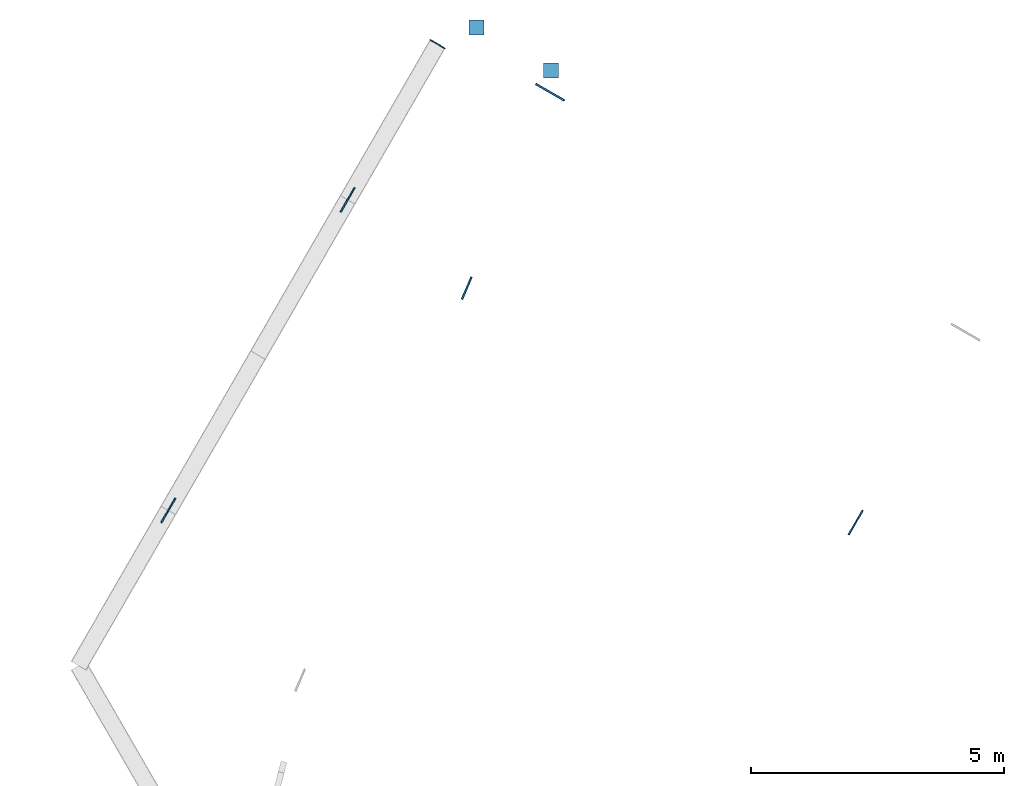
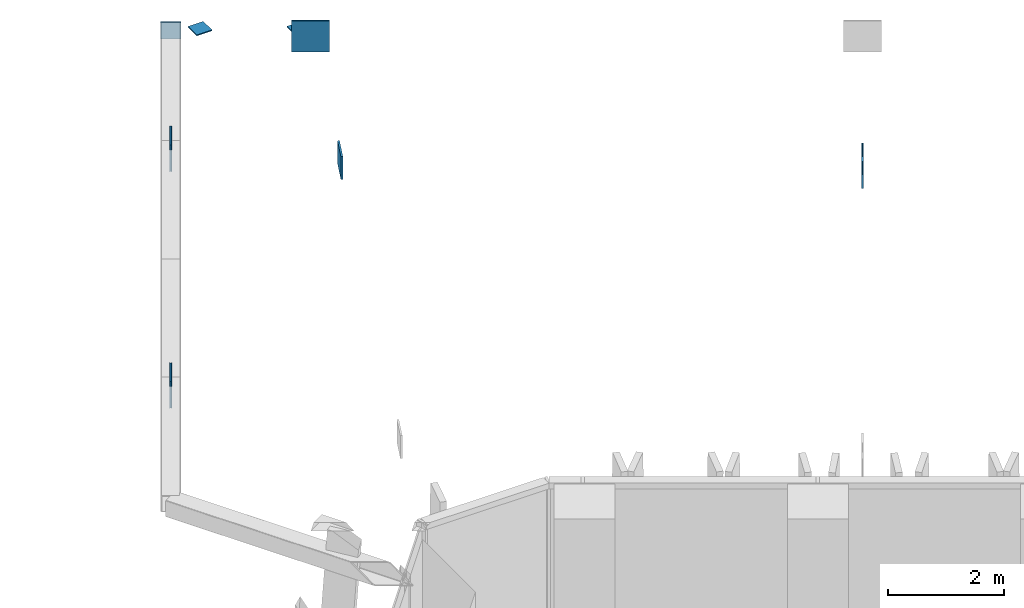
# One storey, part 18 of 25: 8 discrete accessories.
"""IFC4 building model written with IfcOpenShell, lengths in metres."""

from ifc_helpers import new_model, si_unit, direction, frame, origin, origin_2d, place, context, subcontext, project, spatial, rectangle, extrude, material, layer, layer_set, type_object, element, save


model = new_model("IFC4")

# Units and contexts
model_context = context("Model", 3, precision=1e-05, world=origin(), true_north=direction((0.0, 1.0)))
body_context = subcontext(model_context, "Body", "Model", "MODEL_VIEW")
ifc_project = project(units=[si_unit("LENGTHUNIT", "METRE"), si_unit("AREAUNIT", "SQUARE_METRE"), si_unit("VOLUMEUNIT", "CUBIC_METRE"), si_unit("PLANEANGLEUNIT", "RADIAN"), si_unit("MASSUNIT", "GRAM", prefix="KILO")], contexts=[model_context])

# Site, building, storey
site_placement = place(None, origin())
site = spatial("IfcSite", under=ifc_project, at=site_placement, CompositionType="ELEMENT")
building_placement = place(site_placement, origin())
building = spatial("IfcBuilding", under=site, at=building_placement, Name="Ayvan Gate Tower", CompositionType="ELEMENT")
storey_placement = place(building_placement, frame((0.0, 0.0, 132.5)))
storey = spatial("IfcBuildingStorey", under=building, at=storey_placement, Name="L35", CompositionType="ELEMENT", Elevation=132.5)

# Discrete accessories
ifc_material = material(Name="Steel S460ML", Category="steel")
ifc_layer_1 = layer(ifc_material, 0.030029296875)
ifc_layer_set_1 = layer_set([ifc_layer_1], Name="Steel S460ML")
discrete_accessory_type_1 = type_object("IfcDiscreteAccessoryType", Name="Gusset plate 30 mm", PredefinedType="BRACKET", material=ifc_layer_set_1)
for number, where, z_axis, x_axis, name in (
    (1, (10.308837890625, 28.355712890625, 2.39501953125), (0.0, 0.0, 1.0), (0.5, 0.866025403784, 0.0), "Gusset plate SBT3-3-D-5"),
    (2, (-3.2998046875, 28.5947265625, 2.39501953125), (0.0, 0.0, 1.0), (0.5, 0.866025403784, 0.0), "Gusset plate SBX3-A-D-2"),
    (3, (0.250244140625, 34.743408203125, 2.39501953125), (0.0, 0.0, 1.0), (0.5, 0.866025403784, 0.0), "Gusset plate SBX3-A-D-4"),
):
    element("IfcDiscreteAccessory", number, at=place(storey_placement, frame(where, z_axis=z_axis, x_axis=x_axis)), inside=storey, type_object=discrete_accessory_type_1, Name=name, PredefinedType="BRACKET", context=body_context, shape_type="SweptSolid", body=[
        extrude(rectangle(XDim=0.56005859375, YDim=0.030029296875, at=origin_2d()), origin(), (0.0, 0.0, 1.0), 0.56005859375),
    ])
ifc_layer_2 = layer(ifc_material, 0.034912109375)
ifc_layer_set_2 = layer_set([ifc_layer_2], Name="Steel S460ML")
discrete_accessory_type_2 = type_object("IfcDiscreteAccessoryType", Name="Gusset plate 35 mm", PredefinedType="BRACKET", material=ifc_layer_set_2)
discrete_accessory_1_placement = place(storey_placement, frame((4.258056640625, 36.875244140625, 2.02490234375), z_axis=(0.0, 0.0, 1.0), x_axis=(-0.866025403784, 0.5, 0.0)))
element("IfcDiscreteAccessory", 4, at=discrete_accessory_1_placement, inside=storey, type_object=discrete_accessory_type_2, Name="Gusset plate EXO-B3-D3B", PredefinedType="BRACKET", context=body_context, shape_type="SweptSolid", body=[
    extrude(rectangle(XDim=0.650146484375, YDim=0.034912109375, at=origin_2d()), origin(), (0.0, 0.0, 1.0), 0.650146484375),
])
discrete_accessory_2_placement = place(storey_placement, frame((2.6083984375, 32.99560546875, 2.43505859375), z_axis=(0.0, 0.0, 1.0), x_axis=(0.39132387693, 0.920253021372, 0.0)))
element("IfcDiscreteAccessory", 5, at=discrete_accessory_2_placement, inside=storey, type_object=discrete_accessory_type_2, Name="Gusset plate SBT3-4-D-7", PredefinedType="BRACKET", context=body_context, shape_type="SweptSolid", body=[
    extrude(rectangle(XDim=0.47998046875, YDim=0.034912109375, at=origin_2d()), origin(), (0.0, 0.0, 1.0), 0.47998046875),
])
ifc_layer_3 = layer(ifc_material, 0.02001953125)
ifc_layer_set_3 = layer_set([ifc_layer_3], Name="Steel S460ML")
discrete_accessory_type_3 = type_object("IfcDiscreteAccessoryType", Name="Sky bar end cap plate", PredefinedType="BRACKET", material=ifc_layer_set_3)
discrete_accessory_3_placement = place(storey_placement, frame((2.0302734375, 37.82666015625, 2.5), z_axis=(0.0, 0.0, 1.0), x_axis=(0.5, 0.866025403784, 0.0)))
element("IfcDiscreteAccessory", 6, at=discrete_accessory_3_placement, inside=storey, type_object=discrete_accessory_type_3, Name="End cap SBX3-A-BC-5:EC", PredefinedType="BRACKET", context=body_context, shape_type="SweptSolid", body=[
    extrude(rectangle(XDim=0.02001953125, YDim=0.35009765625, at=origin_2d()), origin(), (0.0, 0.0, 1.0), 0.35009765625),
])
for number, where, z_axis, x_axis, name in (
    (7, (2.802734375, 38.154296875, 2.22998046875), (0.0, 0.0, 1.0), (1.0, 0.0, 0.0), "End cap SBX3-C-P-1:EC0"),
    (8, (4.27490234375, 37.30419921875, 2.22998046875), (0.0, 0.0, 1.0), (1.0, 0.0, 0.0), "End cap SBX3-C-P-2:EC0"),
):
    element("IfcDiscreteAccessory", number, at=place(storey_placement, frame(where, z_axis=z_axis, x_axis=x_axis)), inside=storey, type_object=discrete_accessory_type_3, Name=name, PredefinedType="BRACKET", context=body_context, shape_type="SweptSolid", body=[
        extrude(rectangle(XDim=0.300048828125, YDim=0.300048828125, at=origin_2d()), origin(), (0.0, 0.0, 1.0), 0.02001953125),
    ])

save(model, "model.ifc")
